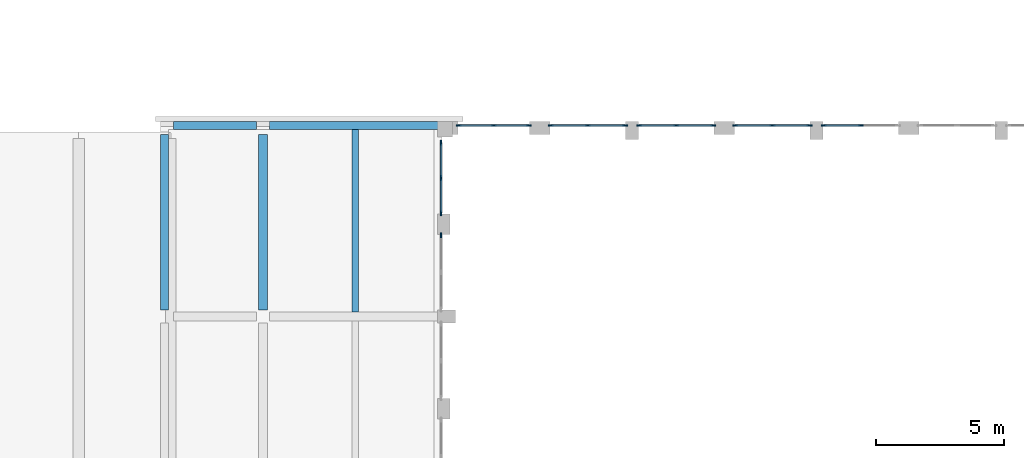
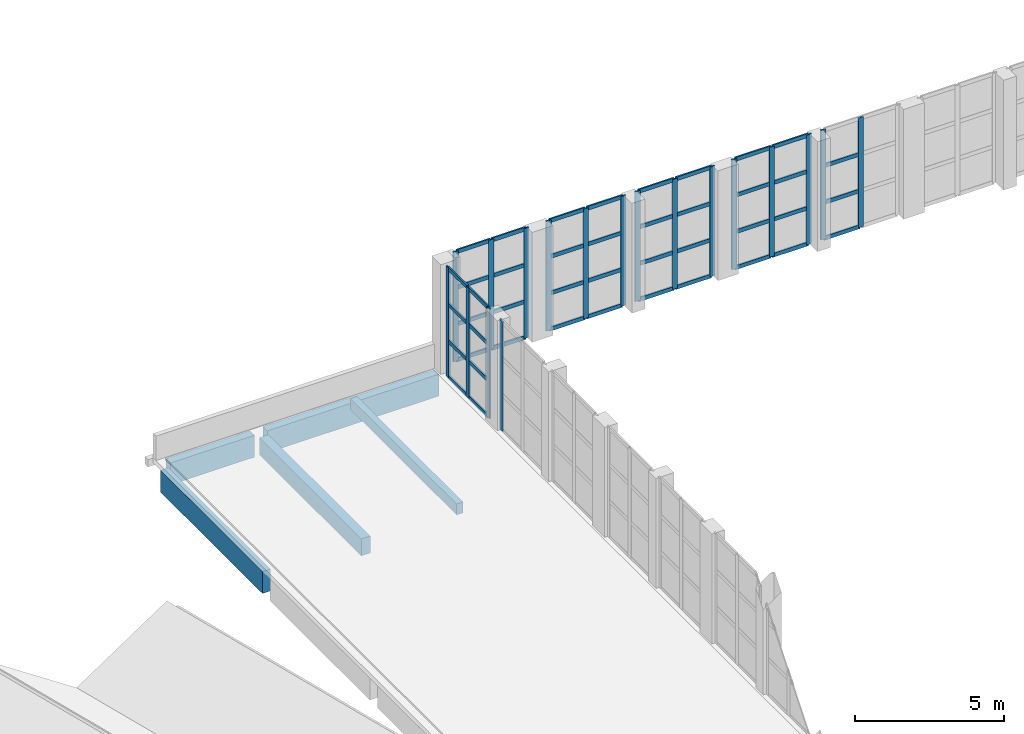
# One storey, part 6 of 44: 61 members, 5 beams, 7 elements without a shape of their own.
"""IFC4 building model written with IfcOpenShell, lengths in metres."""

import ifcopenshell
import ifcopenshell.guid

model = None  # the IFC model being written
_history = None  # IfcOwnerHistory: only IFC2X3 demands one
_inside = {}  # id of a spatial element -> (the spatial element, [elements in it])
_under = {}  # id of a project, library or spatial element -> (it, [spatial elements below it])
_declared = {}  # id of a project -> (the project, [libraries it declares])
_typed = {}  # id of a type object -> (the type object, [elements of that type])
_made_of = {}  # id of a material, layer set ... -> (it, [elements and type objects made of it])


def new_model(schema):
    """Start an empty IFC model of exactly this schema.

    Asked for "IFC4X3", IfcOpenShell would pick the latest addendum, in which some entities
    have other attributes; the version numbers below select the first issue.
    IFC2X3 requires an IfcOwnerHistory on every rooted entity: one is made here for all.
    """
    global model, _history
    if schema == "IFC4X3":
        model = ifcopenshell.file(schema_version=(4, 3, 0, 0))
    else:
        model = ifcopenshell.file(schema=schema)
    _inside.clear()
    _under.clear()
    _declared.clear()
    _typed.clear()
    _made_of.clear()
    _history = None
    if model.schema == "IFC2X3":
        org = make("IfcOrganization", Name="unknown")
        user = make(
            "IfcPersonAndOrganization",
            ThePerson=make("IfcPerson", FamilyName="unknown"),
            TheOrganization=org,
        )
        app = make(
            "IfcApplication",
            ApplicationDeveloper=org,
            Version="unknown",
            ApplicationFullName="unknown",
            ApplicationIdentifier="unknown",
        )
        _history = make(
            "IfcOwnerHistory",
            OwningUser=user,
            OwningApplication=app,
            ChangeAction="ADDED",
            CreationDate=0,
        )
    return model


def make(cls, **values):
    """One entity of the class cls with the attributes given. An attribute that is None is left unset."""
    return model.create_entity(
        cls, **{name: value for name, value in values.items() if value is not None}
    )


def rooted(cls, **values):
    """An entity with a GlobalId (a new one), such as an element, a storey or a relation."""
    return make(cls, GlobalId=ifcopenshell.guid.new(), OwnerHistory=_history, **values)


def si_unit(unit_type, name, prefix=None):
    """IfcSIUnit, for example si_unit("LENGTHUNIT", "METRE", prefix="MILLI")."""
    return make("IfcSIUnit", UnitType=unit_type, Prefix=prefix, Name=name)


def assignment(units):
    """IfcUnitAssignment: the units of a project."""
    return None if units is None else make("IfcUnitAssignment", Units=units)


def point(xyz):
    """IfcCartesianPoint."""
    return None if xyz is None else make("IfcCartesianPoint", Coordinates=xyz)


def direction(xyz):
    """IfcDirection."""
    return None if xyz is None else make("IfcDirection", DirectionRatios=xyz)


def frame(location, z_axis=None, x_axis=None):
    """IfcAxis2Placement3D, a coordinate frame: its origin and axes. An axis left out is left unset."""
    return make(
        "IfcAxis2Placement3D",
        Location=point(location),
        Axis=direction(z_axis),
        RefDirection=direction(x_axis),
    )


def frame_2d(location, x_axis=None):
    """IfcAxis2Placement2D, a coordinate frame in the plane: its origin and x axis."""
    return make(
        "IfcAxis2Placement2D", Location=point(location), RefDirection=direction(x_axis)
    )


def origin():
    """The frame at (0, 0, 0) with its axes left unset."""
    return frame((0.0, 0.0, 0.0))


def origin_2d():
    """The frame at (0, 0) in the plane with its x axis left unset."""
    return frame_2d((0.0, 0.0))


def place(relative_to, where):
    """IfcLocalPlacement: puts the frame where relative to a parent placement (None: the world)."""
    return make(
        "IfcLocalPlacement", PlacementRelTo=relative_to, RelativePlacement=where
    )


def context(
    kind, dimensions, precision=None, world=None, true_north=None, identifier=None
):
    """IfcGeometricRepresentationContext, for example the 3D "Model" context."""
    return make(
        "IfcGeometricRepresentationContext",
        ContextIdentifier=identifier,
        ContextType=kind,
        CoordinateSpaceDimension=dimensions,
        Precision=precision,
        WorldCoordinateSystem=world,
        TrueNorth=true_north,
    )


def subcontext(parent, identifier, kind, view, scale=None):
    """IfcGeometricRepresentationSubContext, for example "Body" below "Model"."""
    return make(
        "IfcGeometricRepresentationSubContext",
        ContextIdentifier=identifier,
        ContextType=kind,
        ParentContext=parent,
        TargetScale=scale,
        TargetView=view,
    )


def project(units=None, contexts=None):
    """IfcProject with its units and contexts."""
    return rooted(
        "IfcProject",
        Name="project",
        RepresentationContexts=contexts,
        UnitsInContext=assignment(units),
    )


def spatial(cls, under=None, at=None, **own):
    """A site, building, storey or space (cls), placed at a placement, below another one or the project."""
    s = rooted(cls, ObjectPlacement=at, **own)
    if under is not None:
        _under.setdefault(under.id(), (under, []))[1].append(s)
    return s


def profile(cls, at=None, kind="AREA", **sizes):
    """A parametric profile (cls). Its sizes go by their IFC names, for example OverallWidth=200.0."""
    return make(cls, ProfileType=kind, Position=at, **sizes)


def rectangle(**sizes):
    """IfcRectangleProfileDef."""
    return profile("IfcRectangleProfileDef", **sizes)


def extrude(swept, where, along, depth):
    """IfcExtrudedAreaSolid: the profile swept, set in the frame where, extruded along a direction by depth."""
    return make(
        "IfcExtrudedAreaSolid",
        SweptArea=swept,
        Position=where,
        ExtrudedDirection=direction(along),
        Depth=depth,
    )


def shape(context_of_items, identifier, shape_type, items):
    """IfcShapeRepresentation: the items that make up one representation, for example the "Body"."""
    return make(
        "IfcShapeRepresentation",
        ContextOfItems=context_of_items,
        RepresentationIdentifier=identifier,
        RepresentationType=shape_type,
        Items=items,
    )


def material(Name=None, Category=None):
    """IfcMaterial."""
    return make("IfcMaterial", Name=Name, Category=Category)


def layer(
    of_material, thickness, ventilated=None, Name=None, Category=None, Priority=None
):
    """IfcMaterialLayer: one layer of a wall or slab, of a material (None: an air gap)."""
    return make(
        "IfcMaterialLayer",
        Material=of_material,
        LayerThickness=thickness,
        IsVentilated=ventilated,
        Name=Name,
        Category=Category,
        Priority=Priority,
    )


def layer_set(layers, Name=None):
    """IfcMaterialLayerSet."""
    return make("IfcMaterialLayerSet", MaterialLayers=layers, LayerSetName=Name)


def material_profile(
    of_material, cross_section, Name=None, Category=None, Priority=None
):
    """IfcMaterialProfile: a cross section and its material."""
    return make(
        "IfcMaterialProfile",
        Name=Name,
        Material=of_material,
        Profile=cross_section,
        Priority=Priority,
        Category=Category,
    )


def profile_set(profiles, Name=None, composite=None):
    """IfcMaterialProfileSet."""
    return make(
        "IfcMaterialProfileSet",
        Name=Name,
        MaterialProfiles=profiles,
        CompositeProfile=composite,
    )


def made_of(thing, what):
    """Note that an element or type object is made of a material, layer set ...; save() writes the relation."""
    if what is not None:
        _made_of.setdefault(what.id(), (what, []))[1].append(thing)
    return thing


def type_object(cls, material=None, **own):
    """A type object (cls), such as IfcWallType, which elements share."""
    return made_of(rooted(cls, **own), material)


def element(
    cls,
    number,
    at=None,
    inside=None,
    cuts=None,
    type_object=None,
    material=None,
    context=None,
    identifier="Body",
    shape_type=None,
    held_by="IfcProductDefinitionShape",
    body=None,
    shapes=None,
    **own,
):
    """One element of the class cls, such as IfcWall. Its Tag is "e" and its number.

    at: its placement. inside: the storey or other place that contains it. cuts: it is an
    opening in that element (IfcRelVoidsElement). A single representation is given by context,
    identifier, shape_type and body (its items); several are given by shapes. held_by: the class
    of the entity that holds the representations. save() writes the other relations.
    """
    e = rooted(cls, Tag="e%d" % number, ObjectPlacement=at, **own)
    if body is not None:
        shapes = [shape(context, identifier, shape_type, body)]
    if shapes is not None:
        e.Representation = make(held_by, Representations=shapes)
    if inside is not None:
        _inside.setdefault(inside.id(), (inside, []))[1].append(e)
    if cuts is not None:
        rooted(
            "IfcRelVoidsElement", RelatingBuildingElement=cuts, RelatedOpeningElement=e
        )
    if type_object is not None:
        _typed.setdefault(type_object.id(), (type_object, []))[1].append(e)
    return made_of(e, material)


def aggregate(whole, parts):
    """IfcRelAggregates: a whole, such as a stair, and the parts it consists of."""
    return rooted("IfcRelAggregates", RelatingObject=whole, RelatedObjects=parts)


def save(model, path):
    """Write the relations noted so far, then the file.

    IfcRelAggregates (storeys below a building ...), IfcRelContainedInSpatialStructure (elements
    in a storey), IfcRelDefinesByType, IfcRelAssociatesMaterial and IfcRelDeclares: one each for
    every whole, place, type object, material and project.
    """
    for whole, parts in _under.values():
        aggregate(whole, parts)
    for where, things in _inside.values():
        rooted(
            "IfcRelContainedInSpatialStructure",
            RelatedElements=things,
            RelatingStructure=where,
        )
    for kind, things in _typed.values():
        rooted("IfcRelDefinesByType", RelatedObjects=things, RelatingType=kind)
    for what, things in _made_of.values():
        rooted("IfcRelAssociatesMaterial", RelatedObjects=things, RelatingMaterial=what)
    for by, libraries in _declared.values():
        rooted("IfcRelDeclares", RelatingContext=by, RelatedDefinitions=libraries)
    model.write(path)


model = new_model("IFC4")

# Units and contexts
model_context = context("Model", 3, precision=1e-05, world=origin(), true_north=direction((0.0, 1.0)))
body_context = subcontext(model_context, "Body", "Model", "MODEL_VIEW")
ifc_project = project(units=[si_unit("LENGTHUNIT", "METRE"), si_unit("AREAUNIT", "SQUARE_METRE"), si_unit("VOLUMEUNIT", "CUBIC_METRE"), si_unit("PLANEANGLEUNIT", "RADIAN"), si_unit("MASSUNIT", "GRAM", prefix="KILO")], contexts=[model_context])

# Site, building, storey
site_placement = place(None, origin())
site = spatial("IfcSite", under=ifc_project, at=site_placement, CompositionType="ELEMENT")
building_placement = place(site_placement, origin())
building = spatial("IfcBuilding", under=site, at=building_placement, Name="Ussher Court Research Institute", CompositionType="ELEMENT")
storey_placement = place(building_placement, frame((0.0, 0.0, 18.89990234375)))
storey = spatial("IfcBuildingStorey", under=building, at=storey_placement, Name="L04", CompositionType="ELEMENT", Elevation=18.89990234375)

# Curtain wall, member
ifc_material_1 = material(Name="Bronze anodised aluminium with low-e glass", Category="aluminium")
ifc_layer = layer(ifc_material_1, 0.159912109375)
ifc_layer_set = layer_set([ifc_layer], Name="Bronze anodised aluminium with low-e glass")
curtain_wall_type = type_object("IfcCurtainWallType", Name="Curtain wall atrium clerestory tall glazing", PredefinedType="NOTDEFINED", material=ifc_layer_set)
curtain_wall_1_placement = place(storey_placement, origin())
curtain_wall_1 = element("IfcCurtainWall", 1, at=curtain_wall_1_placement, inside=storey, type_object=curtain_wall_type, Name="Curtain wall CW3 L04", PredefinedType="NOTDEFINED")
ifc_material_2 = material(Name="Bronze anodised aluminium", Category="aluminium")
ifc_material_profile_1 = material_profile(ifc_material_2, rectangle(XDim=0.06005859375, YDim=0.199951171875, at=origin_2d()), Name="Mullion 60x200")
ifc_profile_set_1 = profile_set([ifc_material_profile_1], Name="Bronze anodised aluminium")
member_type_1 = type_object("IfcMemberType", Name="Mullion 60x200", PredefinedType="MULLION", material=ifc_profile_set_1)
member_1_placement = place(storey_placement, frame((38.75, 35.969970703125, 0.0), z_axis=(0.0, 0.0, 1.0), x_axis=(-1.0, 0.0, 0.0)))
member_1 = element("IfcMember", 2, at=member_1_placement, type_object=member_type_1, Name="CW3 mullion 3", PredefinedType="MULLION", context=body_context, shape_type="SweptSolid", body=[
    extrude(rectangle(XDim=0.06005859375, YDim=0.199951171875, at=origin_2d()), origin(), (0.0, 0.0, 1.0), 4.5),
])
aggregate(curtain_wall_1, [member_1])

# Curtain wall, members
curtain_wall_2_placement = place(storey_placement, origin())
curtain_wall_2 = element("IfcCurtainWall", 3, at=curtain_wall_2_placement, inside=storey, type_object=curtain_wall_type, Name="Curtain wall CW3 L04", PredefinedType="NOTDEFINED")
member_2_placement = place(storey_placement, frame((38.75, 36.830078125, 0.0), z_axis=(0.0, 0.0, 1.0), x_axis=(-1.0, 0.0, 0.0)))
member_2 = element("IfcMember", 4, at=member_2_placement, type_object=member_type_1, Name="CW3 mullion 1", PredefinedType="MULLION", context=body_context, shape_type="SweptSolid", body=[
    extrude(rectangle(XDim=0.06005859375, YDim=0.199951171875, at=origin_2d()), origin(), (0.0, 0.0, 1.0), 4.5),
])
member_3_placement = place(storey_placement, frame((38.75, 38.199951171875, 0.0), z_axis=(0.0, 0.0, 1.0), x_axis=(-1.0, 0.0, 0.0)))
member_3 = element("IfcMember", 5, at=member_3_placement, type_object=member_type_1, Name="CW3 mullion 2", PredefinedType="MULLION", context=body_context, shape_type="SweptSolid", body=[
    extrude(rectangle(XDim=0.06005859375, YDim=0.199951171875, at=origin_2d()), origin(), (0.0, 0.0, 1.0), 4.5),
])
member_4_placement = place(storey_placement, frame((38.75, 39.570068359375, 0.0), z_axis=(0.0, 0.0, 1.0), x_axis=(-1.0, 0.0, 0.0)))
member_4 = element("IfcMember", 6, at=member_4_placement, type_object=member_type_1, Name="CW3 mullion 3", PredefinedType="MULLION", context=body_context, shape_type="SweptSolid", body=[
    extrude(rectangle(XDim=0.06005859375, YDim=0.199951171875, at=origin_2d()), origin(), (0.0, 0.0, 1.0), 4.5),
])

curtain_wall_3_placement = place(storey_placement, origin())
curtain_wall_3 = element("IfcCurtainWall", 7, at=curtain_wall_3_placement, inside=storey, type_object=curtain_wall_type, Name="Curtain wall CW3 L04", PredefinedType="NOTDEFINED")
member_5_placement = place(storey_placement, frame((39.429931640625, 40.25, 0.0), z_axis=(0.0, 0.0, 1.0), x_axis=(0.0, 1.0, 0.0)))
member_5 = element("IfcMember", 8, at=member_5_placement, type_object=member_type_1, Name="CW3 mullion 1", PredefinedType="MULLION", context=body_context, shape_type="SweptSolid", body=[
    extrude(rectangle(XDim=0.06005859375, YDim=0.199951171875, at=origin_2d()), origin(), (0.0, 0.0, 1.0), 4.5),
])
member_6_placement = place(storey_placement, frame((40.800048828125, 40.25, 0.0), z_axis=(0.0, 0.0, 1.0), x_axis=(0.0, 1.0, 0.0)))
member_6 = element("IfcMember", 9, at=member_6_placement, type_object=member_type_1, Name="CW3 mullion 2", PredefinedType="MULLION", context=body_context, shape_type="SweptSolid", body=[
    extrude(rectangle(XDim=0.06005859375, YDim=0.199951171875, at=origin_2d()), origin(), (0.0, 0.0, 1.0), 4.5),
])
member_7_placement = place(storey_placement, frame((42.169921875, 40.25, 0.0), z_axis=(0.0, 0.0, 1.0), x_axis=(0.0, 1.0, 0.0)))
member_7 = element("IfcMember", 10, at=member_7_placement, type_object=member_type_1, Name="CW3 mullion 3", PredefinedType="MULLION", context=body_context, shape_type="SweptSolid", body=[
    extrude(rectangle(XDim=0.06005859375, YDim=0.199951171875, at=origin_2d()), origin(), (0.0, 0.0, 1.0), 4.5),
])

curtain_wall_4_placement = place(storey_placement, origin())
curtain_wall_4 = element("IfcCurtainWall", 11, at=curtain_wall_4_placement, inside=storey, type_object=curtain_wall_type, Name="Curtain wall CW3 L04", PredefinedType="NOTDEFINED")
member_8_placement = place(storey_placement, frame((43.030029296875, 40.25, 0.0), z_axis=(0.0, 0.0, 1.0), x_axis=(0.0, 1.0, 0.0)))
member_8 = element("IfcMember", 12, at=member_8_placement, type_object=member_type_1, Name="CW3 mullion 1", PredefinedType="MULLION", context=body_context, shape_type="SweptSolid", body=[
    extrude(rectangle(XDim=0.06005859375, YDim=0.199951171875, at=origin_2d()), origin(), (0.0, 0.0, 1.0), 4.5),
])
member_9_placement = place(storey_placement, frame((44.47509765625, 40.25, 0.0), z_axis=(0.0, 0.0, 1.0), x_axis=(0.0, 1.0, 0.0)))
member_9 = element("IfcMember", 13, at=member_9_placement, type_object=member_type_1, Name="CW3 mullion 2", PredefinedType="MULLION", context=body_context, shape_type="SweptSolid", body=[
    extrude(rectangle(XDim=0.06005859375, YDim=0.199951171875, at=origin_2d()), origin(), (0.0, 0.0, 1.0), 4.5),
])
member_10_placement = place(storey_placement, frame((45.919921875, 40.25, 0.0), z_axis=(0.0, 0.0, 1.0), x_axis=(0.0, 1.0, 0.0)))
member_10 = element("IfcMember", 14, at=member_10_placement, type_object=member_type_1, Name="CW3 mullion 3", PredefinedType="MULLION", context=body_context, shape_type="SweptSolid", body=[
    extrude(rectangle(XDim=0.06005859375, YDim=0.199951171875, at=origin_2d()), origin(), (0.0, 0.0, 1.0), 4.5),
])

curtain_wall_5_placement = place(storey_placement, origin())
curtain_wall_5 = element("IfcCurtainWall", 15, at=curtain_wall_5_placement, inside=storey, type_object=curtain_wall_type, Name="Curtain wall CW3 L04", PredefinedType="NOTDEFINED")
member_11_placement = place(storey_placement, frame((46.47998046875, 40.25, 0.0), z_axis=(0.0, 0.0, 1.0), x_axis=(0.0, 1.0, 0.0)))
member_11 = element("IfcMember", 16, at=member_11_placement, type_object=member_type_1, Name="CW3 mullion 1", PredefinedType="MULLION", context=body_context, shape_type="SweptSolid", body=[
    extrude(rectangle(XDim=0.06005859375, YDim=0.199951171875, at=origin_2d()), origin(), (0.0, 0.0, 1.0), 4.5),
])
member_12_placement = place(storey_placement, frame((47.925048828125, 40.25, 0.0), z_axis=(0.0, 0.0, 1.0), x_axis=(0.0, 1.0, 0.0)))
member_12 = element("IfcMember", 17, at=member_12_placement, type_object=member_type_1, Name="CW3 mullion 2", PredefinedType="MULLION", context=body_context, shape_type="SweptSolid", body=[
    extrude(rectangle(XDim=0.06005859375, YDim=0.199951171875, at=origin_2d()), origin(), (0.0, 0.0, 1.0), 4.5),
])
member_13_placement = place(storey_placement, frame((49.3701171875, 40.25, 0.0), z_axis=(0.0, 0.0, 1.0), x_axis=(0.0, 1.0, 0.0)))
member_13 = element("IfcMember", 18, at=member_13_placement, type_object=member_type_1, Name="CW3 mullion 3", PredefinedType="MULLION", context=body_context, shape_type="SweptSolid", body=[
    extrude(rectangle(XDim=0.06005859375, YDim=0.199951171875, at=origin_2d()), origin(), (0.0, 0.0, 1.0), 4.5),
])

curtain_wall_6_placement = place(storey_placement, origin())
curtain_wall_6 = element("IfcCurtainWall", 19, at=curtain_wall_6_placement, inside=storey, type_object=curtain_wall_type, Name="Curtain wall CW3 L04", PredefinedType="NOTDEFINED")
member_14_placement = place(storey_placement, frame((50.22998046875, 40.25, 0.0), z_axis=(0.0, 0.0, 1.0), x_axis=(0.0, 1.0, 0.0)))
member_14 = element("IfcMember", 20, at=member_14_placement, type_object=member_type_1, Name="CW3 mullion 1", PredefinedType="MULLION", context=body_context, shape_type="SweptSolid", body=[
    extrude(rectangle(XDim=0.06005859375, YDim=0.199951171875, at=origin_2d()), origin(), (0.0, 0.0, 1.0), 4.5),
])
member_15_placement = place(storey_placement, frame((51.675048828125, 40.25, 0.0), z_axis=(0.0, 0.0, 1.0), x_axis=(0.0, 1.0, 0.0)))
member_15 = element("IfcMember", 21, at=member_15_placement, type_object=member_type_1, Name="CW3 mullion 2", PredefinedType="MULLION", context=body_context, shape_type="SweptSolid", body=[
    extrude(rectangle(XDim=0.06005859375, YDim=0.199951171875, at=origin_2d()), origin(), (0.0, 0.0, 1.0), 4.5),
])
member_16_placement = place(storey_placement, frame((53.1201171875, 40.25, 0.0), z_axis=(0.0, 0.0, 1.0), x_axis=(0.0, 1.0, 0.0)))
member_16 = element("IfcMember", 22, at=member_16_placement, type_object=member_type_1, Name="CW3 mullion 3", PredefinedType="MULLION", context=body_context, shape_type="SweptSolid", body=[
    extrude(rectangle(XDim=0.06005859375, YDim=0.199951171875, at=origin_2d()), origin(), (0.0, 0.0, 1.0), 4.5),
])

curtain_wall_7_placement = place(storey_placement, origin())
curtain_wall_7 = element("IfcCurtainWall", 23, at=curtain_wall_7_placement, inside=storey, type_object=curtain_wall_type, Name="Curtain wall CW3 L04", PredefinedType="NOTDEFINED")
member_17_placement = place(storey_placement, frame((53.679931640625, 40.25, 0.0), z_axis=(0.0, 0.0, 1.0), x_axis=(0.0, 1.0, 0.0)))
member_17 = element("IfcMember", 24, at=member_17_placement, type_object=member_type_1, Name="CW3 mullion 1", PredefinedType="MULLION", context=body_context, shape_type="SweptSolid", body=[
    extrude(rectangle(XDim=0.06005859375, YDim=0.199951171875, at=origin_2d()), origin(), (0.0, 0.0, 1.0), 4.5),
])
member_18_placement = place(storey_placement, frame((55.125, 40.25, 0.0), z_axis=(0.0, 0.0, 1.0), x_axis=(0.0, 1.0, 0.0)))
member_18 = element("IfcMember", 25, at=member_18_placement, type_object=member_type_1, Name="CW3 mullion 2", PredefinedType="MULLION", context=body_context, shape_type="SweptSolid", body=[
    extrude(rectangle(XDim=0.06005859375, YDim=0.199951171875, at=origin_2d()), origin(), (0.0, 0.0, 1.0), 4.5),
])

# Beams
ifc_material_3 = material(Name="Concrete C35/45", Category="concrete")
ifc_material_profile_2 = material_profile(ifc_material_3, rectangle(XDim=0.25, YDim=0.449951171875, at=origin_2d()), Name="RC 250x450")
ifc_profile_set_2 = profile_set([ifc_material_profile_2], Name="Concrete C35/45")
beam_type_1 = type_object("IfcBeamType", Name="RC 250x450 beam", PredefinedType="BEAM", material=ifc_profile_set_2)
beam_1_placement = place(storey_placement, frame((35.39990234375, 32.97509765625, -0.224853515625), z_axis=(0.0, 1.0, 0.0), x_axis=(-1.0, 0.0, 0.0)))
element("IfcBeam", 26, at=beam_1_placement, inside=storey, type_object=beam_type_1, Name="B1 V7 L04-04", PredefinedType="BEAM", context=body_context, shape_type="SweptSolid", body=[
    extrude(rectangle(XDim=0.25, YDim=0.449951171875, at=origin_2d()), origin(), (0.0, 0.0, 1.0), 7.125),
])
ifc_material_4 = material(Name="Concrete C35/45", Category="concrete")
ifc_material_profile_3 = material_profile(ifc_material_4, rectangle(XDim=0.300048828125, YDim=0.89990234375, at=origin_2d()), Name="RC 300x900")
ifc_profile_set_3 = profile_set([ifc_material_profile_3], Name="Concrete C35/45")
beam_type_2 = type_object("IfcBeamType", Name="RC 300x900 beam", PredefinedType="BEAM", material=ifc_profile_set_3)
beam_2_placement = place(storey_placement, frame((28.300048828125, 40.25, -0.64990234375), z_axis=(1.0, 0.0, 0.0), x_axis=(0.0, 1.0, 0.0)))
element("IfcBeam", 27, at=beam_2_placement, inside=storey, type_object=beam_type_2, Name="SB2 V7 L04-06", PredefinedType="BEAM", context=body_context, shape_type="SweptSolid", body=[
    extrude(rectangle(XDim=0.300048828125, YDim=0.89990234375, at=origin_2d()), origin(), (0.0, 0.0, 1.0), 3.25),
])
beam_3_placement = place(storey_placement, frame((32.050048828125, 40.25, -0.64990234375), z_axis=(1.0, 0.0, 0.0), x_axis=(0.0, 1.0, 0.0)))
element("IfcBeam", 28, at=beam_3_placement, inside=storey, type_object=beam_type_2, Name="SB2 V7 L04-07", PredefinedType="BEAM", context=body_context, shape_type="SweptSolid", body=[
    extrude(rectangle(XDim=0.300048828125, YDim=0.89990234375, at=origin_2d()), origin(), (0.0, 0.0, 1.0), 6.64990234375),
])
beam_4_placement = place(storey_placement, frame((27.949951171875, 33.050048828125, -0.64990234375), z_axis=(0.0, 1.0, 0.0), x_axis=(-1.0, 0.0, 0.0)))
element("IfcBeam", 29, at=beam_4_placement, inside=storey, type_object=beam_type_2, Name="SB2 V7 L04-14", PredefinedType="BEAM", context=body_context, shape_type="SweptSolid", body=[
    extrude(rectangle(XDim=0.300048828125, YDim=0.89990234375, at=origin_2d()), origin(), (0.0, 0.0, 1.0), 6.849853515625),
])
ifc_material_5 = material(Name="Concrete C35/45", Category="concrete")
ifc_material_profile_4 = material_profile(ifc_material_5, rectangle(XDim=0.35009765625, YDim=0.699951171875, at=origin_2d()), Name="RC 350x700")
ifc_profile_set_4 = profile_set([ifc_material_profile_4], Name="Concrete C35/45")
beam_type_3 = type_object("IfcBeamType", Name="RC 350x700 beam", PredefinedType="BEAM", material=ifc_profile_set_4)
beam_5_placement = place(storey_placement, frame((31.800048828125, 33.050048828125, -0.5498046875), z_axis=(0.0, 1.0, 0.0), x_axis=(-1.0, 0.0, 0.0)))
element("IfcBeam", 30, at=beam_5_placement, inside=storey, type_object=beam_type_3, Name="B16 V7 L04-19", PredefinedType="BEAM", context=body_context, shape_type="SweptSolid", body=[
    extrude(rectangle(XDim=0.35009765625, YDim=0.699951171875, at=origin_2d()), origin(), (0.0, 0.0, 1.0), 6.849853515625),
])

# Member
ifc_material_6 = material(Name="Bronze anodised aluminium", Category="aluminium")
ifc_material_profile_5 = material_profile(ifc_material_6, rectangle(XDim=0.06005859375, YDim=0.159912109375, at=origin_2d()), Name="Transom 60x160")
ifc_profile_set_5 = profile_set([ifc_material_profile_5], Name="Bronze anodised aluminium")
member_type_2 = type_object("IfcMemberType", Name="Transom 60x160", PredefinedType="USERDEFINED", material=ifc_profile_set_5)
member_19_placement = place(storey_placement, frame((38.75, 36.860107421875, 0.030029296875), z_axis=(0.0, 1.0, 0.0), x_axis=(-1.0, 0.0, 0.0)))
member_19 = element("IfcMember", 31, at=member_19_placement, type_object=member_type_2, Name="CW3 transom 1.1", ObjectType="TRANSOM", PredefinedType="USERDEFINED", context=body_context, shape_type="SweptSolid", body=[
    extrude(rectangle(XDim=0.06005859375, YDim=0.159912109375, at=origin_2d()), origin(), (0.0, 0.0, 1.0), 1.309814453125),
])

member_20_placement = place(storey_placement, frame((38.75, 36.860107421875, 1.5), z_axis=(0.0, 1.0, 0.0), x_axis=(-1.0, 0.0, 0.0)))
member_20 = element("IfcMember", 32, at=member_20_placement, type_object=member_type_2, Name="CW3 transom 1.2", ObjectType="TRANSOM", PredefinedType="USERDEFINED", context=body_context, shape_type="SweptSolid", body=[
    extrude(rectangle(XDim=0.06005859375, YDim=0.159912109375, at=origin_2d()), origin(), (0.0, 0.0, 1.0), 1.309814453125),
])

member_21_placement = place(storey_placement, frame((38.75, 36.860107421875, 3.0), z_axis=(0.0, 1.0, 0.0), x_axis=(-1.0, 0.0, 0.0)))
member_21 = element("IfcMember", 33, at=member_21_placement, type_object=member_type_2, Name="CW3 transom 1.3", ObjectType="TRANSOM", PredefinedType="USERDEFINED", context=body_context, shape_type="SweptSolid", body=[
    extrude(rectangle(XDim=0.06005859375, YDim=0.159912109375, at=origin_2d()), origin(), (0.0, 0.0, 1.0), 1.309814453125),
])

member_22_placement = place(storey_placement, frame((38.75, 36.860107421875, 4.47021484375), z_axis=(0.0, 1.0, 0.0), x_axis=(-1.0, 0.0, 0.0)))
member_22 = element("IfcMember", 34, at=member_22_placement, type_object=member_type_2, Name="CW3 transom 1.4", ObjectType="TRANSOM", PredefinedType="USERDEFINED", context=body_context, shape_type="SweptSolid", body=[
    extrude(rectangle(XDim=0.06005859375, YDim=0.159912109375, at=origin_2d()), origin(), (0.0, 0.0, 1.0), 1.309814453125),
])

member_23_placement = place(storey_placement, frame((38.75, 38.22998046875, 0.030029296875), z_axis=(0.0, 1.0, 0.0), x_axis=(-1.0, 0.0, 0.0)))
member_23 = element("IfcMember", 35, at=member_23_placement, type_object=member_type_2, Name="CW3 transom 2.1", ObjectType="TRANSOM", PredefinedType="USERDEFINED", context=body_context, shape_type="SweptSolid", body=[
    extrude(rectangle(XDim=0.06005859375, YDim=0.159912109375, at=origin_2d()), origin(), (0.0, 0.0, 1.0), 1.31005859375),
])

member_24_placement = place(storey_placement, frame((38.75, 38.22998046875, 1.5), z_axis=(0.0, 1.0, 0.0), x_axis=(-1.0, 0.0, 0.0)))
member_24 = element("IfcMember", 36, at=member_24_placement, type_object=member_type_2, Name="CW3 transom 2.2", ObjectType="TRANSOM", PredefinedType="USERDEFINED", context=body_context, shape_type="SweptSolid", body=[
    extrude(rectangle(XDim=0.06005859375, YDim=0.159912109375, at=origin_2d()), origin(), (0.0, 0.0, 1.0), 1.31005859375),
])

member_25_placement = place(storey_placement, frame((38.75, 38.22998046875, 3.0), z_axis=(0.0, 1.0, 0.0), x_axis=(-1.0, 0.0, 0.0)))
member_25 = element("IfcMember", 37, at=member_25_placement, type_object=member_type_2, Name="CW3 transom 2.3", ObjectType="TRANSOM", PredefinedType="USERDEFINED", context=body_context, shape_type="SweptSolid", body=[
    extrude(rectangle(XDim=0.06005859375, YDim=0.159912109375, at=origin_2d()), origin(), (0.0, 0.0, 1.0), 1.31005859375),
])

member_26_placement = place(storey_placement, frame((38.75, 38.22998046875, 4.47021484375), z_axis=(0.0, 1.0, 0.0), x_axis=(-1.0, 0.0, 0.0)))
member_26 = element("IfcMember", 38, at=member_26_placement, type_object=member_type_2, Name="CW3 transom 2.4", ObjectType="TRANSOM", PredefinedType="USERDEFINED", context=body_context, shape_type="SweptSolid", body=[
    extrude(rectangle(XDim=0.06005859375, YDim=0.159912109375, at=origin_2d()), origin(), (0.0, 0.0, 1.0), 1.31005859375),
])

aggregate(curtain_wall_2, [member_2, member_3, member_4, member_19, member_20, member_21, member_22, member_23, member_24, member_25, member_26])

member_27_placement = place(storey_placement, frame((39.4599609375, 40.25, 0.030029296875), z_axis=(1.0, 0.0, 0.0), x_axis=(0.0, 1.0, 0.0)))
member_27 = element("IfcMember", 39, at=member_27_placement, type_object=member_type_2, Name="CW3 transom 1.1", ObjectType="TRANSOM", PredefinedType="USERDEFINED", context=body_context, shape_type="SweptSolid", body=[
    extrude(rectangle(XDim=0.06005859375, YDim=0.159912109375, at=origin_2d()), origin(), (0.0, 0.0, 1.0), 1.31005859375),
])

member_28_placement = place(storey_placement, frame((39.4599609375, 40.25, 1.5), z_axis=(1.0, 0.0, 0.0), x_axis=(0.0, 1.0, 0.0)))
member_28 = element("IfcMember", 40, at=member_28_placement, type_object=member_type_2, Name="CW3 transom 1.2", ObjectType="TRANSOM", PredefinedType="USERDEFINED", context=body_context, shape_type="SweptSolid", body=[
    extrude(rectangle(XDim=0.06005859375, YDim=0.159912109375, at=origin_2d()), origin(), (0.0, 0.0, 1.0), 1.31005859375),
])

member_29_placement = place(storey_placement, frame((39.4599609375, 40.25, 3.0), z_axis=(1.0, 0.0, 0.0), x_axis=(0.0, 1.0, 0.0)))
member_29 = element("IfcMember", 41, at=member_29_placement, type_object=member_type_2, Name="CW3 transom 1.3", ObjectType="TRANSOM", PredefinedType="USERDEFINED", context=body_context, shape_type="SweptSolid", body=[
    extrude(rectangle(XDim=0.06005859375, YDim=0.159912109375, at=origin_2d()), origin(), (0.0, 0.0, 1.0), 1.31005859375),
])

member_30_placement = place(storey_placement, frame((39.4599609375, 40.25, 4.47021484375), z_axis=(1.0, 0.0, 0.0), x_axis=(0.0, 1.0, 0.0)))
member_30 = element("IfcMember", 42, at=member_30_placement, type_object=member_type_2, Name="CW3 transom 1.4", ObjectType="TRANSOM", PredefinedType="USERDEFINED", context=body_context, shape_type="SweptSolid", body=[
    extrude(rectangle(XDim=0.06005859375, YDim=0.159912109375, at=origin_2d()), origin(), (0.0, 0.0, 1.0), 1.31005859375),
])

member_31_placement = place(storey_placement, frame((40.830078125, 40.25, 0.030029296875), z_axis=(1.0, 0.0, 0.0), x_axis=(0.0, 1.0, 0.0)))
member_31 = element("IfcMember", 43, at=member_31_placement, type_object=member_type_2, Name="CW3 transom 2.1", ObjectType="TRANSOM", PredefinedType="USERDEFINED", context=body_context, shape_type="SweptSolid", body=[
    extrude(rectangle(XDim=0.06005859375, YDim=0.159912109375, at=origin_2d()), origin(), (0.0, 0.0, 1.0), 1.309814453125),
])

member_32_placement = place(storey_placement, frame((40.830078125, 40.25, 1.5), z_axis=(1.0, 0.0, 0.0), x_axis=(0.0, 1.0, 0.0)))
member_32 = element("IfcMember", 44, at=member_32_placement, type_object=member_type_2, Name="CW3 transom 2.2", ObjectType="TRANSOM", PredefinedType="USERDEFINED", context=body_context, shape_type="SweptSolid", body=[
    extrude(rectangle(XDim=0.06005859375, YDim=0.159912109375, at=origin_2d()), origin(), (0.0, 0.0, 1.0), 1.309814453125),
])

member_33_placement = place(storey_placement, frame((40.830078125, 40.25, 3.0), z_axis=(1.0, 0.0, 0.0), x_axis=(0.0, 1.0, 0.0)))
member_33 = element("IfcMember", 45, at=member_33_placement, type_object=member_type_2, Name="CW3 transom 2.3", ObjectType="TRANSOM", PredefinedType="USERDEFINED", context=body_context, shape_type="SweptSolid", body=[
    extrude(rectangle(XDim=0.06005859375, YDim=0.159912109375, at=origin_2d()), origin(), (0.0, 0.0, 1.0), 1.309814453125),
])

member_34_placement = place(storey_placement, frame((40.830078125, 40.25, 4.47021484375), z_axis=(1.0, 0.0, 0.0), x_axis=(0.0, 1.0, 0.0)))
member_34 = element("IfcMember", 46, at=member_34_placement, type_object=member_type_2, Name="CW3 transom 2.4", ObjectType="TRANSOM", PredefinedType="USERDEFINED", context=body_context, shape_type="SweptSolid", body=[
    extrude(rectangle(XDim=0.06005859375, YDim=0.159912109375, at=origin_2d()), origin(), (0.0, 0.0, 1.0), 1.309814453125),
])

aggregate(curtain_wall_3, [member_5, member_6, member_7, member_27, member_28, member_29, member_30, member_31, member_32, member_33, member_34])

member_35_placement = place(storey_placement, frame((43.06005859375, 40.25, 0.030029296875), z_axis=(1.0, 0.0, 0.0), x_axis=(0.0, 1.0, 0.0)))
member_35 = element("IfcMember", 47, at=member_35_placement, type_object=member_type_2, Name="CW3 transom 1.1", ObjectType="TRANSOM", PredefinedType="USERDEFINED", context=body_context, shape_type="SweptSolid", body=[
    extrude(rectangle(XDim=0.06005859375, YDim=0.159912109375, at=origin_2d()), origin(), (0.0, 0.0, 1.0), 1.385009765625),
])

member_36_placement = place(storey_placement, frame((43.06005859375, 40.25, 1.5), z_axis=(1.0, 0.0, 0.0), x_axis=(0.0, 1.0, 0.0)))
member_36 = element("IfcMember", 48, at=member_36_placement, type_object=member_type_2, Name="CW3 transom 1.2", ObjectType="TRANSOM", PredefinedType="USERDEFINED", context=body_context, shape_type="SweptSolid", body=[
    extrude(rectangle(XDim=0.06005859375, YDim=0.159912109375, at=origin_2d()), origin(), (0.0, 0.0, 1.0), 1.385009765625),
])

member_37_placement = place(storey_placement, frame((43.06005859375, 40.25, 3.0), z_axis=(1.0, 0.0, 0.0), x_axis=(0.0, 1.0, 0.0)))
member_37 = element("IfcMember", 49, at=member_37_placement, type_object=member_type_2, Name="CW3 transom 1.3", ObjectType="TRANSOM", PredefinedType="USERDEFINED", context=body_context, shape_type="SweptSolid", body=[
    extrude(rectangle(XDim=0.06005859375, YDim=0.159912109375, at=origin_2d()), origin(), (0.0, 0.0, 1.0), 1.385009765625),
])

member_38_placement = place(storey_placement, frame((43.06005859375, 40.25, 4.47021484375), z_axis=(1.0, 0.0, 0.0), x_axis=(0.0, 1.0, 0.0)))
member_38 = element("IfcMember", 50, at=member_38_placement, type_object=member_type_2, Name="CW3 transom 1.4", ObjectType="TRANSOM", PredefinedType="USERDEFINED", context=body_context, shape_type="SweptSolid", body=[
    extrude(rectangle(XDim=0.06005859375, YDim=0.159912109375, at=origin_2d()), origin(), (0.0, 0.0, 1.0), 1.385009765625),
])

member_39_placement = place(storey_placement, frame((44.5048828125, 40.25, 0.030029296875), z_axis=(1.0, 0.0, 0.0), x_axis=(0.0, 1.0, 0.0)))
member_39 = element("IfcMember", 51, at=member_39_placement, type_object=member_type_2, Name="CW3 transom 2.1", ObjectType="TRANSOM", PredefinedType="USERDEFINED", context=body_context, shape_type="SweptSolid", body=[
    extrude(rectangle(XDim=0.06005859375, YDim=0.159912109375, at=origin_2d()), origin(), (0.0, 0.0, 1.0), 1.385009765625),
])

member_40_placement = place(storey_placement, frame((44.5048828125, 40.25, 1.5), z_axis=(1.0, 0.0, 0.0), x_axis=(0.0, 1.0, 0.0)))
member_40 = element("IfcMember", 52, at=member_40_placement, type_object=member_type_2, Name="CW3 transom 2.2", ObjectType="TRANSOM", PredefinedType="USERDEFINED", context=body_context, shape_type="SweptSolid", body=[
    extrude(rectangle(XDim=0.06005859375, YDim=0.159912109375, at=origin_2d()), origin(), (0.0, 0.0, 1.0), 1.385009765625),
])

member_41_placement = place(storey_placement, frame((44.5048828125, 40.25, 3.0), z_axis=(1.0, 0.0, 0.0), x_axis=(0.0, 1.0, 0.0)))
member_41 = element("IfcMember", 53, at=member_41_placement, type_object=member_type_2, Name="CW3 transom 2.3", ObjectType="TRANSOM", PredefinedType="USERDEFINED", context=body_context, shape_type="SweptSolid", body=[
    extrude(rectangle(XDim=0.06005859375, YDim=0.159912109375, at=origin_2d()), origin(), (0.0, 0.0, 1.0), 1.385009765625),
])

member_42_placement = place(storey_placement, frame((44.5048828125, 40.25, 4.47021484375), z_axis=(1.0, 0.0, 0.0), x_axis=(0.0, 1.0, 0.0)))
member_42 = element("IfcMember", 54, at=member_42_placement, type_object=member_type_2, Name="CW3 transom 2.4", ObjectType="TRANSOM", PredefinedType="USERDEFINED", context=body_context, shape_type="SweptSolid", body=[
    extrude(rectangle(XDim=0.06005859375, YDim=0.159912109375, at=origin_2d()), origin(), (0.0, 0.0, 1.0), 1.385009765625),
])

aggregate(curtain_wall_4, [member_8, member_9, member_10, member_35, member_36, member_37, member_38, member_39, member_40, member_41, member_42])

member_43_placement = place(storey_placement, frame((46.510009765625, 40.25, 0.030029296875), z_axis=(1.0, 0.0, 0.0), x_axis=(0.0, 1.0, 0.0)))
member_43 = element("IfcMember", 55, at=member_43_placement, type_object=member_type_2, Name="CW3 transom 1.1", ObjectType="TRANSOM", PredefinedType="USERDEFINED", context=body_context, shape_type="SweptSolid", body=[
    extrude(rectangle(XDim=0.06005859375, YDim=0.159912109375, at=origin_2d()), origin(), (0.0, 0.0, 1.0), 1.385009765625),
])

member_44_placement = place(storey_placement, frame((46.510009765625, 40.25, 1.5), z_axis=(1.0, 0.0, 0.0), x_axis=(0.0, 1.0, 0.0)))
member_44 = element("IfcMember", 56, at=member_44_placement, type_object=member_type_2, Name="CW3 transom 1.2", ObjectType="TRANSOM", PredefinedType="USERDEFINED", context=body_context, shape_type="SweptSolid", body=[
    extrude(rectangle(XDim=0.06005859375, YDim=0.159912109375, at=origin_2d()), origin(), (0.0, 0.0, 1.0), 1.385009765625),
])

member_45_placement = place(storey_placement, frame((46.510009765625, 40.25, 3.0), z_axis=(1.0, 0.0, 0.0), x_axis=(0.0, 1.0, 0.0)))
member_45 = element("IfcMember", 57, at=member_45_placement, type_object=member_type_2, Name="CW3 transom 1.3", ObjectType="TRANSOM", PredefinedType="USERDEFINED", context=body_context, shape_type="SweptSolid", body=[
    extrude(rectangle(XDim=0.06005859375, YDim=0.159912109375, at=origin_2d()), origin(), (0.0, 0.0, 1.0), 1.385009765625),
])

member_46_placement = place(storey_placement, frame((46.510009765625, 40.25, 4.47021484375), z_axis=(1.0, 0.0, 0.0), x_axis=(0.0, 1.0, 0.0)))
member_46 = element("IfcMember", 58, at=member_46_placement, type_object=member_type_2, Name="CW3 transom 1.4", ObjectType="TRANSOM", PredefinedType="USERDEFINED", context=body_context, shape_type="SweptSolid", body=[
    extrude(rectangle(XDim=0.06005859375, YDim=0.159912109375, at=origin_2d()), origin(), (0.0, 0.0, 1.0), 1.385009765625),
])

member_47_placement = place(storey_placement, frame((47.955078125, 40.25, 0.030029296875), z_axis=(1.0, 0.0, 0.0), x_axis=(0.0, 1.0, 0.0)))
member_47 = element("IfcMember", 59, at=member_47_placement, type_object=member_type_2, Name="CW3 transom 2.1", ObjectType="TRANSOM", PredefinedType="USERDEFINED", context=body_context, shape_type="SweptSolid", body=[
    extrude(rectangle(XDim=0.06005859375, YDim=0.159912109375, at=origin_2d()), origin(), (0.0, 0.0, 1.0), 1.385009765625),
])

member_48_placement = place(storey_placement, frame((47.955078125, 40.25, 1.5), z_axis=(1.0, 0.0, 0.0), x_axis=(0.0, 1.0, 0.0)))
member_48 = element("IfcMember", 60, at=member_48_placement, type_object=member_type_2, Name="CW3 transom 2.2", ObjectType="TRANSOM", PredefinedType="USERDEFINED", context=body_context, shape_type="SweptSolid", body=[
    extrude(rectangle(XDim=0.06005859375, YDim=0.159912109375, at=origin_2d()), origin(), (0.0, 0.0, 1.0), 1.385009765625),
])

member_49_placement = place(storey_placement, frame((47.955078125, 40.25, 3.0), z_axis=(1.0, 0.0, 0.0), x_axis=(0.0, 1.0, 0.0)))
member_49 = element("IfcMember", 61, at=member_49_placement, type_object=member_type_2, Name="CW3 transom 2.3", ObjectType="TRANSOM", PredefinedType="USERDEFINED", context=body_context, shape_type="SweptSolid", body=[
    extrude(rectangle(XDim=0.06005859375, YDim=0.159912109375, at=origin_2d()), origin(), (0.0, 0.0, 1.0), 1.385009765625),
])

member_50_placement = place(storey_placement, frame((47.955078125, 40.25, 4.47021484375), z_axis=(1.0, 0.0, 0.0), x_axis=(0.0, 1.0, 0.0)))
member_50 = element("IfcMember", 62, at=member_50_placement, type_object=member_type_2, Name="CW3 transom 2.4", ObjectType="TRANSOM", PredefinedType="USERDEFINED", context=body_context, shape_type="SweptSolid", body=[
    extrude(rectangle(XDim=0.06005859375, YDim=0.159912109375, at=origin_2d()), origin(), (0.0, 0.0, 1.0), 1.385009765625),
])

aggregate(curtain_wall_5, [member_11, member_12, member_13, member_43, member_44, member_45, member_46, member_47, member_48, member_49, member_50])

member_51_placement = place(storey_placement, frame((50.260009765625, 40.25, 0.030029296875), z_axis=(1.0, 0.0, 0.0), x_axis=(0.0, 1.0, 0.0)))
member_51 = element("IfcMember", 63, at=member_51_placement, type_object=member_type_2, Name="CW3 transom 1.1", ObjectType="TRANSOM", PredefinedType="USERDEFINED", context=body_context, shape_type="SweptSolid", body=[
    extrude(rectangle(XDim=0.06005859375, YDim=0.159912109375, at=origin_2d()), origin(), (0.0, 0.0, 1.0), 1.385009765625),
])

member_52_placement = place(storey_placement, frame((50.260009765625, 40.25, 1.5), z_axis=(1.0, 0.0, 0.0), x_axis=(0.0, 1.0, 0.0)))
member_52 = element("IfcMember", 64, at=member_52_placement, type_object=member_type_2, Name="CW3 transom 1.2", ObjectType="TRANSOM", PredefinedType="USERDEFINED", context=body_context, shape_type="SweptSolid", body=[
    extrude(rectangle(XDim=0.06005859375, YDim=0.159912109375, at=origin_2d()), origin(), (0.0, 0.0, 1.0), 1.385009765625),
])

member_53_placement = place(storey_placement, frame((50.260009765625, 40.25, 3.0), z_axis=(1.0, 0.0, 0.0), x_axis=(0.0, 1.0, 0.0)))
member_53 = element("IfcMember", 65, at=member_53_placement, type_object=member_type_2, Name="CW3 transom 1.3", ObjectType="TRANSOM", PredefinedType="USERDEFINED", context=body_context, shape_type="SweptSolid", body=[
    extrude(rectangle(XDim=0.06005859375, YDim=0.159912109375, at=origin_2d()), origin(), (0.0, 0.0, 1.0), 1.385009765625),
])

member_54_placement = place(storey_placement, frame((50.260009765625, 40.25, 4.47021484375), z_axis=(1.0, 0.0, 0.0), x_axis=(0.0, 1.0, 0.0)))
member_54 = element("IfcMember", 66, at=member_54_placement, type_object=member_type_2, Name="CW3 transom 1.4", ObjectType="TRANSOM", PredefinedType="USERDEFINED", context=body_context, shape_type="SweptSolid", body=[
    extrude(rectangle(XDim=0.06005859375, YDim=0.159912109375, at=origin_2d()), origin(), (0.0, 0.0, 1.0), 1.385009765625),
])

member_55_placement = place(storey_placement, frame((51.705078125, 40.25, 0.030029296875), z_axis=(1.0, 0.0, 0.0), x_axis=(0.0, 1.0, 0.0)))
member_55 = element("IfcMember", 67, at=member_55_placement, type_object=member_type_2, Name="CW3 transom 2.1", ObjectType="TRANSOM", PredefinedType="USERDEFINED", context=body_context, shape_type="SweptSolid", body=[
    extrude(rectangle(XDim=0.06005859375, YDim=0.159912109375, at=origin_2d()), origin(), (0.0, 0.0, 1.0), 1.385009765625),
])

member_56_placement = place(storey_placement, frame((51.705078125, 40.25, 1.5), z_axis=(1.0, 0.0, 0.0), x_axis=(0.0, 1.0, 0.0)))
member_56 = element("IfcMember", 68, at=member_56_placement, type_object=member_type_2, Name="CW3 transom 2.2", ObjectType="TRANSOM", PredefinedType="USERDEFINED", context=body_context, shape_type="SweptSolid", body=[
    extrude(rectangle(XDim=0.06005859375, YDim=0.159912109375, at=origin_2d()), origin(), (0.0, 0.0, 1.0), 1.385009765625),
])

member_57_placement = place(storey_placement, frame((51.705078125, 40.25, 3.0), z_axis=(1.0, 0.0, 0.0), x_axis=(0.0, 1.0, 0.0)))
member_57 = element("IfcMember", 69, at=member_57_placement, type_object=member_type_2, Name="CW3 transom 2.3", ObjectType="TRANSOM", PredefinedType="USERDEFINED", context=body_context, shape_type="SweptSolid", body=[
    extrude(rectangle(XDim=0.06005859375, YDim=0.159912109375, at=origin_2d()), origin(), (0.0, 0.0, 1.0), 1.385009765625),
])

member_58_placement = place(storey_placement, frame((51.705078125, 40.25, 4.47021484375), z_axis=(1.0, 0.0, 0.0), x_axis=(0.0, 1.0, 0.0)))
member_58 = element("IfcMember", 70, at=member_58_placement, type_object=member_type_2, Name="CW3 transom 2.4", ObjectType="TRANSOM", PredefinedType="USERDEFINED", context=body_context, shape_type="SweptSolid", body=[
    extrude(rectangle(XDim=0.06005859375, YDim=0.159912109375, at=origin_2d()), origin(), (0.0, 0.0, 1.0), 1.385009765625),
])

aggregate(curtain_wall_6, [member_14, member_15, member_16, member_51, member_52, member_53, member_54, member_55, member_56, member_57, member_58])

member_59_placement = place(storey_placement, frame((53.7099609375, 40.25, 0.030029296875), z_axis=(1.0, 0.0, 0.0), x_axis=(0.0, 1.0, 0.0)))
member_59 = element("IfcMember", 71, at=member_59_placement, type_object=member_type_2, Name="CW3 transom 1.1", ObjectType="TRANSOM", PredefinedType="USERDEFINED", context=body_context, shape_type="SweptSolid", body=[
    extrude(rectangle(XDim=0.06005859375, YDim=0.159912109375, at=origin_2d()), origin(), (0.0, 0.0, 1.0), 1.385009765625),
])

member_60_placement = place(storey_placement, frame((53.7099609375, 40.25, 1.5), z_axis=(1.0, 0.0, 0.0), x_axis=(0.0, 1.0, 0.0)))
member_60 = element("IfcMember", 72, at=member_60_placement, type_object=member_type_2, Name="CW3 transom 1.2", ObjectType="TRANSOM", PredefinedType="USERDEFINED", context=body_context, shape_type="SweptSolid", body=[
    extrude(rectangle(XDim=0.06005859375, YDim=0.159912109375, at=origin_2d()), origin(), (0.0, 0.0, 1.0), 1.385009765625),
])

member_61_placement = place(storey_placement, frame((53.7099609375, 40.25, 3.0), z_axis=(1.0, 0.0, 0.0), x_axis=(0.0, 1.0, 0.0)))
member_61 = element("IfcMember", 73, at=member_61_placement, type_object=member_type_2, Name="CW3 transom 1.3", ObjectType="TRANSOM", PredefinedType="USERDEFINED", context=body_context, shape_type="SweptSolid", body=[
    extrude(rectangle(XDim=0.06005859375, YDim=0.159912109375, at=origin_2d()), origin(), (0.0, 0.0, 1.0), 1.385009765625),
])

aggregate(curtain_wall_7, [member_17, member_18, member_59, member_60, member_61])

save(model, "model.ifc")
